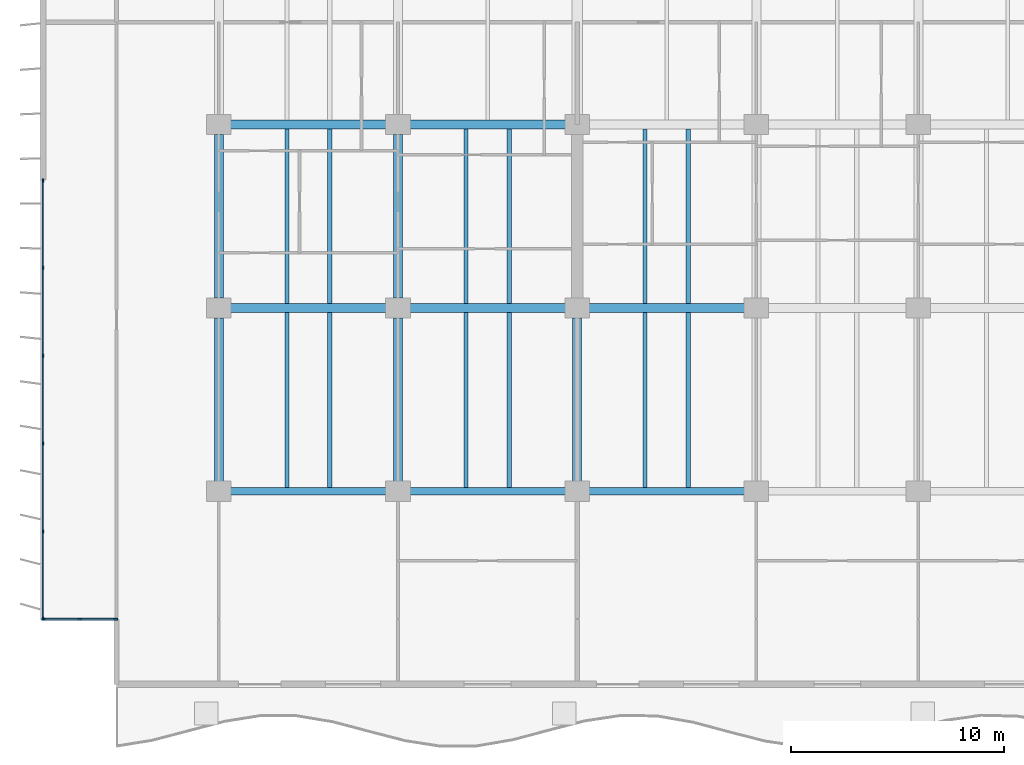
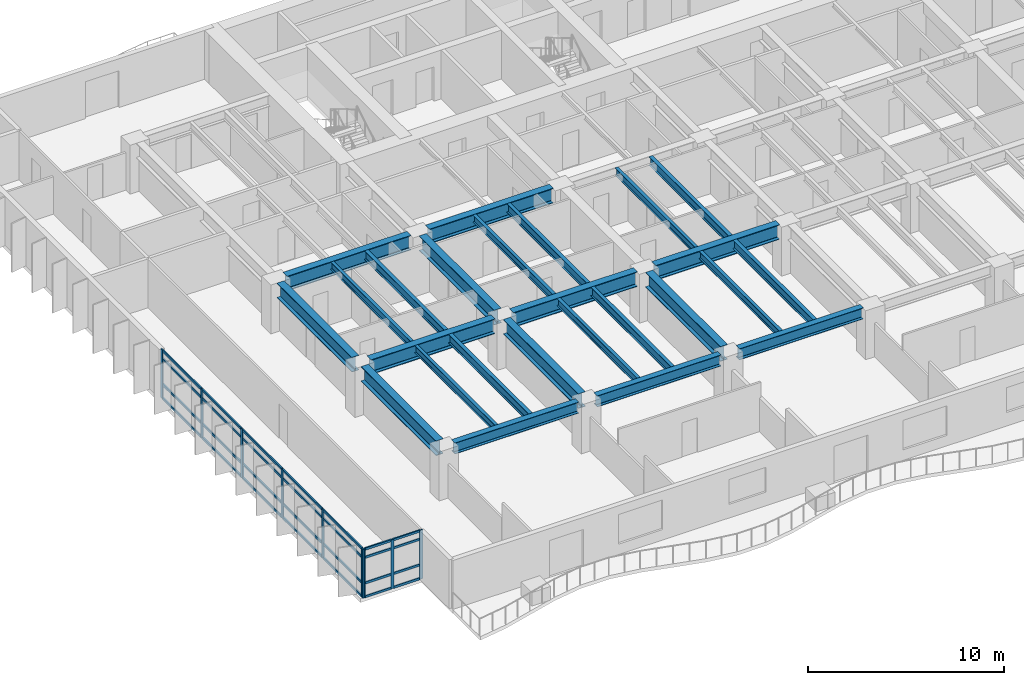
# One storey, part 2 of 16: 37 members, 25 beams, 2 elements without a shape of their own.
"""IFC4 building model written with IfcOpenShell, lengths in metres."""

from ifc_helpers import new_model, si_unit, direction, frame, origin, origin_2d, place, context, subcontext, project, spatial, rectangle, i_section, extrude, material, layer, layer_set, material_profile, profile_set, type_object, element, aggregate, save


model = new_model("IFC4")

# Units and contexts
model_context = context("Model", 3, precision=1e-05, world=origin(), true_north=direction((0.0, 1.0)))
body_context = subcontext(model_context, "Body", "Model", "MODEL_VIEW")
ifc_project = project(units=[si_unit("LENGTHUNIT", "METRE"), si_unit("AREAUNIT", "SQUARE_METRE"), si_unit("VOLUMEUNIT", "CUBIC_METRE"), si_unit("PLANEANGLEUNIT", "RADIAN"), si_unit("MASSUNIT", "GRAM", prefix="KILO")], contexts=[model_context])

# Site, building, storey
site_placement = place(None, origin())
site = spatial("IfcSite", under=ifc_project, at=site_placement, CompositionType="ELEMENT")
building_placement = place(site_placement, origin())
building = spatial("IfcBuilding", under=site, at=building_placement, Name="Caelmar Bay Residences", CompositionType="ELEMENT")
storey_placement = place(building_placement, frame((0.0, 0.0, 72.89990234375)))
storey = spatial("IfcBuildingStorey", under=building, at=storey_placement, Name="L19", CompositionType="ELEMENT", Elevation=72.89990234375)

# Beams
ifc_material_1 = material(Name="Steel ASTM A992 Grade 50", Category="steel")
ifc_material_profile_1 = material_profile(ifc_material_1, i_section(OverallWidth=0.422119140625, OverallDepth=0.925048828125, WebThickness=0.021240234375, FlangeThickness=0.03662109375, FilletRadius=0.020263671875, at=origin_2d()), Name="W36X262")
ifc_profile_set_1 = profile_set([ifc_material_profile_1], Name="Steel ASTM A992 Grade 50")
beam_type_1 = type_object("IfcBeamType", Name="BM-GRD-W36X262", PredefinedType="BEAM", material=ifc_profile_set_1)
beam_1_placement = place(storey_placement, frame((10.43994140625, 20.800048828125, 2.587646484375), z_axis=(1.0, 0.0, 0.0), x_axis=(0.0, 1.0, 0.0)))
element("IfcBeam", 1, at=beam_1_placement, inside=storey, type_object=beam_type_1, Name="L19 East-West Girder Y=20.80 (9.9-18.3)", PredefinedType="BEAM", context=body_context, shape_type="SweptSolid", body=[
    extrude(i_section(OverallWidth=0.422119140625, OverallDepth=0.925048828125, WebThickness=0.021240234375, FlangeThickness=0.03662109375, FilletRadius=0.020263671875, at=origin_2d()), origin(), (0.0, 0.0, 1.0), 7.320068359375),
])
beam_2_placement = place(storey_placement, frame((18.840087890625, 20.800048828125, 2.587646484375), z_axis=(1.0, 0.0, 0.0), x_axis=(0.0, 1.0, 0.0)))
element("IfcBeam", 2, at=beam_2_placement, inside=storey, type_object=beam_type_1, Name="L19 East-West Girder Y=20.80 (18.3-26.7)", PredefinedType="BEAM", context=body_context, shape_type="SweptSolid", body=[
    extrude(i_section(OverallWidth=0.422119140625, OverallDepth=0.925048828125, WebThickness=0.021240234375, FlangeThickness=0.03662109375, FilletRadius=0.020263671875, at=origin_2d()), origin(), (0.0, 0.0, 1.0), 7.31982421875),
])
for number, where, z_axis, x_axis, name in (
    (3, (27.239990234375, 20.800048828125, 2.587646484375), (1.0, 0.0, 0.0), (0.0, 1.0, 0.0), "L19 East-West Girder Y=20.80 (26.7-35.1)"),
    (4, (10.43994140625, 29.39990234375, 2.587646484375), (1.0, 0.0, 0.0), (0.0, 1.0, 0.0), "L19 East-West Girder Y=29.40 (9.9-18.3)"),
):
    element("IfcBeam", number, at=place(storey_placement, frame(where, z_axis=z_axis, x_axis=x_axis)), inside=storey, type_object=beam_type_1, Name=name, PredefinedType="BEAM", context=body_context, shape_type="SweptSolid", body=[
        extrude(i_section(OverallWidth=0.422119140625, OverallDepth=0.925048828125, WebThickness=0.021240234375, FlangeThickness=0.03662109375, FilletRadius=0.020263671875, at=origin_2d()), origin(), (0.0, 0.0, 1.0), 7.320068359375),
    ])
beam_3_placement = place(storey_placement, frame((18.840087890625, 29.39990234375, 2.587646484375), z_axis=(1.0, 0.0, 0.0), x_axis=(0.0, 1.0, 0.0)))
element("IfcBeam", 5, at=beam_3_placement, inside=storey, type_object=beam_type_1, Name="L19 East-West Girder Y=29.40 (18.3-26.7)", PredefinedType="BEAM", context=body_context, shape_type="SweptSolid", body=[
    extrude(i_section(OverallWidth=0.422119140625, OverallDepth=0.925048828125, WebThickness=0.021240234375, FlangeThickness=0.03662109375, FilletRadius=0.020263671875, at=origin_2d()), origin(), (0.0, 0.0, 1.0), 7.31982421875),
])
beam_4_placement = place(storey_placement, frame((9.89990234375, 12.6650390625, 2.587646484375), z_axis=(0.0, 1.0, 0.0), x_axis=(-1.0, 0.0, 0.0)))
element("IfcBeam", 6, at=beam_4_placement, inside=storey, type_object=beam_type_1, Name="L19 North-South Girder X=9.90 (12.2-20.8)", PredefinedType="BEAM", context=body_context, shape_type="SweptSolid", body=[
    extrude(i_section(OverallWidth=0.422119140625, OverallDepth=0.925048828125, WebThickness=0.021240234375, FlangeThickness=0.03662109375, FilletRadius=0.020263671875, at=origin_2d()), origin(), (0.0, 0.0, 1.0), 7.669921875),
])
beam_5_placement = place(storey_placement, frame((9.89990234375, 21.264892578125, 2.587646484375), z_axis=(0.0, 1.0, 0.0), x_axis=(-1.0, 0.0, 0.0)))
element("IfcBeam", 7, at=beam_5_placement, inside=storey, type_object=beam_type_1, Name="L19 North-South Girder X=9.90 (20.8-29.4)", PredefinedType="BEAM", context=body_context, shape_type="SweptSolid", body=[
    extrude(i_section(OverallWidth=0.422119140625, OverallDepth=0.925048828125, WebThickness=0.021240234375, FlangeThickness=0.03662109375, FilletRadius=0.020263671875, at=origin_2d()), origin(), (0.0, 0.0, 1.0), 7.670166015625),
])
beam_6_placement = place(storey_placement, frame((18.300048828125, 12.6650390625, 2.587646484375), z_axis=(0.0, 1.0, 0.0), x_axis=(-1.0, 0.0, 0.0)))
element("IfcBeam", 8, at=beam_6_placement, inside=storey, type_object=beam_type_1, Name="L19 North-South Girder X=18.30 (12.2-20.8)", PredefinedType="BEAM", context=body_context, shape_type="SweptSolid", body=[
    extrude(i_section(OverallWidth=0.422119140625, OverallDepth=0.925048828125, WebThickness=0.021240234375, FlangeThickness=0.03662109375, FilletRadius=0.020263671875, at=origin_2d()), origin(), (0.0, 0.0, 1.0), 7.669921875),
])
beam_7_placement = place(storey_placement, frame((18.300048828125, 21.264892578125, 2.587646484375), z_axis=(0.0, 1.0, 0.0), x_axis=(-1.0, 0.0, 0.0)))
element("IfcBeam", 9, at=beam_7_placement, inside=storey, type_object=beam_type_1, Name="L19 North-South Girder X=18.30 (20.8-29.4)", PredefinedType="BEAM", context=body_context, shape_type="SweptSolid", body=[
    extrude(i_section(OverallWidth=0.422119140625, OverallDepth=0.925048828125, WebThickness=0.021240234375, FlangeThickness=0.03662109375, FilletRadius=0.020263671875, at=origin_2d()), origin(), (0.0, 0.0, 1.0), 7.670166015625),
])
beam_8_placement = place(storey_placement, frame((26.699951171875, 12.6650390625, 2.587646484375), z_axis=(0.0, 1.0, 0.0), x_axis=(-1.0, 0.0, 0.0)))
element("IfcBeam", 10, at=beam_8_placement, inside=storey, type_object=beam_type_1, Name="L19 North-South Girder X=26.70 (12.2-20.8)", PredefinedType="BEAM", context=body_context, shape_type="SweptSolid", body=[
    extrude(i_section(OverallWidth=0.422119140625, OverallDepth=0.925048828125, WebThickness=0.021240234375, FlangeThickness=0.03662109375, FilletRadius=0.020263671875, at=origin_2d()), origin(), (0.0, 0.0, 1.0), 7.669921875),
])
ifc_material_profile_2 = material_profile(ifc_material_1, i_section(OverallWidth=0.19091796875, OverallDepth=0.45703125, WebThickness=0.009033203125, FlangeThickness=0.014404296875, FilletRadius=0.01025390625, at=origin_2d()), Name="W18X50")
ifc_profile_set_2 = profile_set([ifc_material_profile_2], Name="Steel ASTM A992 Grade 50")
beam_type_2 = type_object("IfcBeamType", Name="BM-JST-W18X50", PredefinedType="JOIST", material=ifc_profile_set_2)
for number, where, z_axis, x_axis, name in (
    (11, (13.092041015625, 12.3779296875, 2.821533203125), (0.0, 1.0, 0.0), (-1.0, 0.0, 0.0), "L19 Composite Floor Joist 1"),
    (12, (21.491943359375, 12.3779296875, 2.821533203125), (0.0, 1.0, 0.0), (-1.0, 0.0, 0.0), "L19 Composite Floor Joist 3"),
    (13, (29.89208984375, 12.3779296875, 2.821533203125), (0.0, 1.0, 0.0), (-1.0, 0.0, 0.0), "L19 Composite Floor Joist 5"),
):
    element("IfcBeam", number, at=place(storey_placement, frame(where, z_axis=z_axis, x_axis=x_axis)), inside=storey, type_object=beam_type_2, Name=name, PredefinedType="JOIST", context=body_context, shape_type="SweptSolid", body=[
        extrude(i_section(OverallWidth=0.19091796875, OverallDepth=0.45703125, WebThickness=0.009033203125, FlangeThickness=0.014404296875, FilletRadius=0.01025390625, at=origin_2d()), origin(), (0.0, 0.0, 1.0), 8.211181640625),
    ])
for number, where, z_axis, x_axis, name in (
    (14, (13.092041015625, 21.010986328125, 2.821533203125), (0.0, 1.0, 0.0), (-1.0, 0.0, 0.0), "L19 Composite Floor Joist 15"),
    (15, (21.491943359375, 21.010986328125, 2.821533203125), (0.0, 1.0, 0.0), (-1.0, 0.0, 0.0), "L19 Composite Floor Joist 17"),
    (16, (29.89208984375, 21.010986328125, 2.821533203125), (0.0, 1.0, 0.0), (-1.0, 0.0, 0.0), "L19 Composite Floor Joist 19"),
):
    element("IfcBeam", number, at=place(storey_placement, frame(where, z_axis=z_axis, x_axis=x_axis)), inside=storey, type_object=beam_type_2, Name=name, PredefinedType="JOIST", context=body_context, shape_type="SweptSolid", body=[
        extrude(i_section(OverallWidth=0.19091796875, OverallDepth=0.45703125, WebThickness=0.009033203125, FlangeThickness=0.014404296875, FilletRadius=0.01025390625, at=origin_2d()), origin(), (0.0, 0.0, 1.0), 8.177978515625),
    ])
ifc_material_profile_3 = material_profile(ifc_material_1, i_section(OverallWidth=0.214111328125, OverallDepth=0.549072265625, WebThickness=0.0146484375, FlangeThickness=0.023681640625, FilletRadius=0.0126953125, at=origin_2d()), Name="W21X93")
ifc_profile_set_3 = profile_set([ifc_material_profile_3], Name="Steel ASTM A992 Grade 50")
beam_type_3 = type_object("IfcBeamType", Name="BM-JST-W21X93", PredefinedType="JOIST", material=ifc_profile_set_3)
for number, where, z_axis, x_axis, name in (
    (17, (15.10791015625, 12.3779296875, 2.775634765625), (0.0, 1.0, 0.0), (-1.0, 0.0, 0.0), "L19 Composite Floor Joist 2"),
    (18, (23.508056640625, 12.3779296875, 2.775634765625), (0.0, 1.0, 0.0), (-1.0, 0.0, 0.0), "L19 Composite Floor Joist 4"),
    (19, (31.907958984375, 12.3779296875, 2.775634765625), (0.0, 1.0, 0.0), (-1.0, 0.0, 0.0), "L19 Composite Floor Joist 6"),
):
    element("IfcBeam", number, at=place(storey_placement, frame(where, z_axis=z_axis, x_axis=x_axis)), inside=storey, type_object=beam_type_3, Name=name, PredefinedType="JOIST", context=body_context, shape_type="SweptSolid", body=[
        extrude(i_section(OverallWidth=0.214111328125, OverallDepth=0.549072265625, WebThickness=0.0146484375, FlangeThickness=0.023681640625, FilletRadius=0.0126953125, at=origin_2d()), origin(), (0.0, 0.0, 1.0), 8.211181640625),
    ])
for number, where, z_axis, x_axis, name in (
    (20, (15.10791015625, 21.010986328125, 2.775634765625), (0.0, 1.0, 0.0), (-1.0, 0.0, 0.0), "L19 Composite Floor Joist 16"),
    (21, (23.508056640625, 21.010986328125, 2.775634765625), (0.0, 1.0, 0.0), (-1.0, 0.0, 0.0), "L19 Composite Floor Joist 18"),
    (22, (31.907958984375, 21.010986328125, 2.775634765625), (0.0, 1.0, 0.0), (-1.0, 0.0, 0.0), "L19 Composite Floor Joist 20"),
):
    element("IfcBeam", number, at=place(storey_placement, frame(where, z_axis=z_axis, x_axis=x_axis)), inside=storey, type_object=beam_type_3, Name=name, PredefinedType="JOIST", context=body_context, shape_type="SweptSolid", body=[
        extrude(i_section(OverallWidth=0.214111328125, OverallDepth=0.549072265625, WebThickness=0.0146484375, FlangeThickness=0.023681640625, FilletRadius=0.0126953125, at=origin_2d()), origin(), (0.0, 0.0, 1.0), 8.177978515625),
    ])
ifc_material_profile_4 = material_profile(ifc_material_1, i_section(OverallWidth=0.35595703125, OverallDepth=0.696044921875, WebThickness=0.015380859375, FlangeThickness=0.02490234375, FilletRadius=0.01513671875, at=origin_2d()), Name="W27X146")
ifc_profile_set_4 = profile_set([ifc_material_profile_4], Name="Steel ASTM A992 Grade 50")
beam_type_4 = type_object("IfcBeamType", Name="BM-SPN-W27X146", PredefinedType="SPANDREL", material=ifc_profile_set_4)
beam_9_placement = place(storey_placement, frame((10.43994140625, 12.199951171875, 2.7021484375), z_axis=(1.0, 0.0, 0.0), x_axis=(0.0, 1.0, 0.0)))
element("IfcBeam", 23, at=beam_9_placement, inside=storey, type_object=beam_type_4, Name="L19 East-West Girder Y=12.20 (9.9-18.3)", PredefinedType="SPANDREL", context=body_context, shape_type="SweptSolid", body=[
    extrude(i_section(OverallWidth=0.35595703125, OverallDepth=0.696044921875, WebThickness=0.015380859375, FlangeThickness=0.02490234375, FilletRadius=0.01513671875, at=origin_2d()), origin(), (0.0, 0.0, 1.0), 7.320068359375),
])
beam_10_placement = place(storey_placement, frame((18.840087890625, 12.199951171875, 2.7021484375), z_axis=(1.0, 0.0, 0.0), x_axis=(0.0, 1.0, 0.0)))
element("IfcBeam", 24, at=beam_10_placement, inside=storey, type_object=beam_type_4, Name="L19 East-West Girder Y=12.20 (18.3-26.7)", PredefinedType="SPANDREL", context=body_context, shape_type="SweptSolid", body=[
    extrude(i_section(OverallWidth=0.35595703125, OverallDepth=0.696044921875, WebThickness=0.015380859375, FlangeThickness=0.02490234375, FilletRadius=0.01513671875, at=origin_2d()), origin(), (0.0, 0.0, 1.0), 7.31982421875),
])
beam_11_placement = place(storey_placement, frame((27.239990234375, 12.199951171875, 2.7021484375), z_axis=(1.0, 0.0, 0.0), x_axis=(0.0, 1.0, 0.0)))
element("IfcBeam", 25, at=beam_11_placement, inside=storey, type_object=beam_type_4, Name="L19 East-West Girder Y=12.20 (26.7-35.1)", PredefinedType="SPANDREL", context=body_context, shape_type="SweptSolid", body=[
    extrude(i_section(OverallWidth=0.35595703125, OverallDepth=0.696044921875, WebThickness=0.015380859375, FlangeThickness=0.02490234375, FilletRadius=0.01513671875, at=origin_2d()), origin(), (0.0, 0.0, 1.0), 7.320068359375),
])

# Curtain wall, members
ifc_material_2 = material(Name="Anodised bronze aluminium 6063-T6 and laminated glass", Category="aluminium")
ifc_layer_1 = layer(ifc_material_2, 0.179931640625)
ifc_layer_set_1 = layer_set([ifc_layer_1], Name="Anodised bronze aluminium 6063-T6 and laminated glass")
curtain_wall_type_1 = type_object("IfcCurtainWallType", Name="CW6-NTC", PredefinedType="NOTDEFINED", material=ifc_layer_set_1)
curtain_wall_1_placement = place(storey_placement, origin())
curtain_wall_1 = element("IfcCurtainWall", 26, at=curtain_wall_1_placement, inside=storey, type_object=curtain_wall_type_1, Name="CW6 curtain wall L19", PredefinedType="NOTDEFINED")
ifc_material_3 = material(Name="Anodised bronze aluminium 6063-T6", Category="aluminium")
ifc_material_profile_5 = material_profile(ifc_material_3, rectangle(XDim=0.080078125, YDim=0.179931640625, at=origin_2d()), Name="CWM-80X180")
ifc_profile_set_5 = profile_set([ifc_material_profile_5], Name="Anodised bronze aluminium 6063-T6")
member_type_1 = type_object("IfcMemberType", Name="CWM-180", PredefinedType="MULLION", material=ifc_profile_set_5)
member_1_placement = place(storey_placement, frame((1.68994140625, 6.199951171875, 0.0), z_axis=(0.0, 0.0, 1.0), x_axis=(0.0, 1.0, 0.0)))
member_1 = element("IfcMember", 27, at=member_1_placement, type_object=member_type_1, Name="CW6 mullion 1", PredefinedType="MULLION", context=body_context, shape_type="SweptSolid", body=[
    extrude(rectangle(XDim=0.080078125, YDim=0.179931640625, at=origin_2d()), origin(), (0.0, 0.0, 1.0), 3.050048828125),
])
member_2_placement = place(storey_placement, frame((3.375, 6.199951171875, 0.0), z_axis=(0.0, 0.0, 1.0), x_axis=(0.0, 1.0, 0.0)))
member_2 = element("IfcMember", 28, at=member_2_placement, type_object=member_type_1, Name="CW6 mullion 2", PredefinedType="MULLION", context=body_context, shape_type="SweptSolid", body=[
    extrude(rectangle(XDim=0.080078125, YDim=0.179931640625, at=origin_2d()), origin(), (0.0, 0.0, 1.0), 3.050048828125),
])
member_3_placement = place(storey_placement, frame((5.06005859375, 6.199951171875, 0.0), z_axis=(0.0, 0.0, 1.0), x_axis=(0.0, 1.0, 0.0)))
member_3 = element("IfcMember", 29, at=member_3_placement, type_object=member_type_1, Name="CW6 mullion 3", PredefinedType="MULLION", context=body_context, shape_type="SweptSolid", body=[
    extrude(rectangle(XDim=0.080078125, YDim=0.179931640625, at=origin_2d()), origin(), (0.0, 0.0, 1.0), 3.050048828125),
])

ifc_layer_2 = layer(ifc_material_2, 0.179931640625)
ifc_layer_set_2 = layer_set([ifc_layer_2], Name="Anodised bronze aluminium 6063-T6 and laminated glass")
curtain_wall_type_2 = type_object("IfcCurtainWallType", Name="CW2-Z1", PredefinedType="NOTDEFINED", material=ifc_layer_set_2)
curtain_wall_2_placement = place(storey_placement, origin())
curtain_wall_2 = element("IfcCurtainWall", 30, at=curtain_wall_2_placement, inside=storey, type_object=curtain_wall_type_2, Name="CW2 curtain wall L19", PredefinedType="NOTDEFINED")
member_4_placement = place(storey_placement, frame((1.64990234375, 6.239990234375, 0.0), z_axis=(0.0, 0.0, 1.0), x_axis=(-1.0, 0.0, 0.0)))
member_4 = element("IfcMember", 31, at=member_4_placement, type_object=member_type_1, Name="CW2 mullion 1", PredefinedType="MULLION", context=body_context, shape_type="SweptSolid", body=[
    extrude(rectangle(XDim=0.080078125, YDim=0.179931640625, at=origin_2d()), origin(), (0.0, 0.0, 1.0), 3.050048828125),
])
member_5_placement = place(storey_placement, frame((1.64990234375, 10.320068359375, 0.0), z_axis=(0.0, 0.0, 1.0), x_axis=(-1.0, 0.0, 0.0)))
member_5 = element("IfcMember", 32, at=member_5_placement, type_object=member_type_1, Name="CW2 mullion 2", PredefinedType="MULLION", context=body_context, shape_type="SweptSolid", body=[
    extrude(rectangle(XDim=0.080078125, YDim=0.179931640625, at=origin_2d()), origin(), (0.0, 0.0, 1.0), 3.050048828125),
])
member_6_placement = place(storey_placement, frame((1.64990234375, 14.43994140625, 0.0), z_axis=(0.0, 0.0, 1.0), x_axis=(-1.0, 0.0, 0.0)))
member_6 = element("IfcMember", 33, at=member_6_placement, type_object=member_type_1, Name="CW2 mullion 3", PredefinedType="MULLION", context=body_context, shape_type="SweptSolid", body=[
    extrude(rectangle(XDim=0.080078125, YDim=0.179931640625, at=origin_2d()), origin(), (0.0, 0.0, 1.0), 3.050048828125),
])
member_7_placement = place(storey_placement, frame((1.64990234375, 18.56005859375, 0.0), z_axis=(0.0, 0.0, 1.0), x_axis=(-1.0, 0.0, 0.0)))
member_7 = element("IfcMember", 34, at=member_7_placement, type_object=member_type_1, Name="CW2 mullion 4", PredefinedType="MULLION", context=body_context, shape_type="SweptSolid", body=[
    extrude(rectangle(XDim=0.080078125, YDim=0.179931640625, at=origin_2d()), origin(), (0.0, 0.0, 1.0), 3.050048828125),
])
member_8_placement = place(storey_placement, frame((1.64990234375, 22.679931640625, 0.0), z_axis=(0.0, 0.0, 1.0), x_axis=(-1.0, 0.0, 0.0)))
member_8 = element("IfcMember", 35, at=member_8_placement, type_object=member_type_1, Name="CW2 mullion 5", PredefinedType="MULLION", context=body_context, shape_type="SweptSolid", body=[
    extrude(rectangle(XDim=0.080078125, YDim=0.179931640625, at=origin_2d()), origin(), (0.0, 0.0, 1.0), 3.050048828125),
])
member_9_placement = place(storey_placement, frame((1.64990234375, 26.760009765625, 0.0), z_axis=(0.0, 0.0, 1.0), x_axis=(-1.0, 0.0, 0.0)))
member_9 = element("IfcMember", 36, at=member_9_placement, type_object=member_type_1, Name="CW2 mullion 6", PredefinedType="MULLION", context=body_context, shape_type="SweptSolid", body=[
    extrude(rectangle(XDim=0.080078125, YDim=0.179931640625, at=origin_2d()), origin(), (0.0, 0.0, 1.0), 3.050048828125),
])

# Member
ifc_material_profile_6 = material_profile(ifc_material_3, rectangle(XDim=0.080078125, YDim=0.139892578125, at=origin_2d()), Name="CWT-80X140")
ifc_profile_set_6 = profile_set([ifc_material_profile_6], Name="Anodised bronze aluminium 6063-T6")
member_type_2 = type_object("IfcMemberType", Name="CWT-140", PredefinedType="NOTDEFINED", material=ifc_profile_set_6)
member_10_placement = place(storey_placement, frame((1.72998046875, 6.199951171875, 0.0400390625), z_axis=(1.0, 0.0, 0.0), x_axis=(0.0, 1.0, 0.0)))
member_10 = element("IfcMember", 37, at=member_10_placement, type_object=member_type_2, Name="CW6 transom 1.1", ObjectType="TRANSOM", PredefinedType="USERDEFINED", context=body_context, shape_type="SweptSolid", body=[
    extrude(rectangle(XDim=0.080078125, YDim=0.139892578125, at=origin_2d()), origin(), (0.0, 0.0, 1.0), 1.60498046875),
])

member_11_placement = place(storey_placement, frame((1.72998046875, 6.199951171875, 0.900146484375), z_axis=(1.0, 0.0, 0.0), x_axis=(0.0, 1.0, 0.0)))
member_11 = element("IfcMember", 38, at=member_11_placement, type_object=member_type_2, Name="CW6 transom 1.2", ObjectType="TRANSOM", PredefinedType="USERDEFINED", context=body_context, shape_type="SweptSolid", body=[
    extrude(rectangle(XDim=0.080078125, YDim=0.139892578125, at=origin_2d()), origin(), (0.0, 0.0, 1.0), 1.60498046875),
])

member_12_placement = place(storey_placement, frame((1.72998046875, 6.199951171875, 2.5), z_axis=(1.0, 0.0, 0.0), x_axis=(0.0, 1.0, 0.0)))
member_12 = element("IfcMember", 39, at=member_12_placement, type_object=member_type_2, Name="CW6 transom 1.3", ObjectType="TRANSOM", PredefinedType="USERDEFINED", context=body_context, shape_type="SweptSolid", body=[
    extrude(rectangle(XDim=0.080078125, YDim=0.139892578125, at=origin_2d()), origin(), (0.0, 0.0, 1.0), 1.60498046875),
])

member_13_placement = place(storey_placement, frame((1.72998046875, 6.199951171875, 3.010009765625), z_axis=(1.0, 0.0, 0.0), x_axis=(0.0, 1.0, 0.0)))
member_13 = element("IfcMember", 40, at=member_13_placement, type_object=member_type_2, Name="CW6 transom 1.4", ObjectType="TRANSOM", PredefinedType="USERDEFINED", context=body_context, shape_type="SweptSolid", body=[
    extrude(rectangle(XDim=0.080078125, YDim=0.139892578125, at=origin_2d()), origin(), (0.0, 0.0, 1.0), 1.60498046875),
])

member_14_placement = place(storey_placement, frame((3.4150390625, 6.199951171875, 0.0400390625), z_axis=(1.0, 0.0, 0.0), x_axis=(0.0, 1.0, 0.0)))
member_14 = element("IfcMember", 41, at=member_14_placement, type_object=member_type_2, Name="CW6 transom 2.1", ObjectType="TRANSOM", PredefinedType="USERDEFINED", context=body_context, shape_type="SweptSolid", body=[
    extrude(rectangle(XDim=0.080078125, YDim=0.139892578125, at=origin_2d()), origin(), (0.0, 0.0, 1.0), 1.60498046875),
])

member_15_placement = place(storey_placement, frame((3.4150390625, 6.199951171875, 0.900146484375), z_axis=(1.0, 0.0, 0.0), x_axis=(0.0, 1.0, 0.0)))
member_15 = element("IfcMember", 42, at=member_15_placement, type_object=member_type_2, Name="CW6 transom 2.2", ObjectType="TRANSOM", PredefinedType="USERDEFINED", context=body_context, shape_type="SweptSolid", body=[
    extrude(rectangle(XDim=0.080078125, YDim=0.139892578125, at=origin_2d()), origin(), (0.0, 0.0, 1.0), 1.60498046875),
])

member_16_placement = place(storey_placement, frame((3.4150390625, 6.199951171875, 2.5), z_axis=(1.0, 0.0, 0.0), x_axis=(0.0, 1.0, 0.0)))
member_16 = element("IfcMember", 43, at=member_16_placement, type_object=member_type_2, Name="CW6 transom 2.3", ObjectType="TRANSOM", PredefinedType="USERDEFINED", context=body_context, shape_type="SweptSolid", body=[
    extrude(rectangle(XDim=0.080078125, YDim=0.139892578125, at=origin_2d()), origin(), (0.0, 0.0, 1.0), 1.60498046875),
])

member_17_placement = place(storey_placement, frame((3.4150390625, 6.199951171875, 3.010009765625), z_axis=(1.0, 0.0, 0.0), x_axis=(0.0, 1.0, 0.0)))
member_17 = element("IfcMember", 44, at=member_17_placement, type_object=member_type_2, Name="CW6 transom 2.4", ObjectType="TRANSOM", PredefinedType="USERDEFINED", context=body_context, shape_type="SweptSolid", body=[
    extrude(rectangle(XDim=0.080078125, YDim=0.139892578125, at=origin_2d()), origin(), (0.0, 0.0, 1.0), 1.60498046875),
])

aggregate(curtain_wall_1, [member_1, member_2, member_3, member_10, member_11, member_12, member_13, member_14, member_15, member_16, member_17])

member_18_placement = place(storey_placement, frame((1.64990234375, 6.280029296875, 0.0400390625), z_axis=(0.0, 1.0, 0.0), x_axis=(-1.0, 0.0, 0.0)))
member_18 = element("IfcMember", 45, at=member_18_placement, type_object=member_type_2, Name="CW2 transom 1.1", ObjectType="TRANSOM", PredefinedType="USERDEFINED", context=body_context, shape_type="SweptSolid", body=[
    extrude(rectangle(XDim=0.080078125, YDim=0.139892578125, at=origin_2d()), origin(), (0.0, 0.0, 1.0), 4.0),
])

member_19_placement = place(storey_placement, frame((1.64990234375, 6.280029296875, 0.900146484375), z_axis=(0.0, 1.0, 0.0), x_axis=(-1.0, 0.0, 0.0)))
member_19 = element("IfcMember", 46, at=member_19_placement, type_object=member_type_2, Name="CW2 transom 1.2", ObjectType="TRANSOM", PredefinedType="USERDEFINED", context=body_context, shape_type="SweptSolid", body=[
    extrude(rectangle(XDim=0.080078125, YDim=0.139892578125, at=origin_2d()), origin(), (0.0, 0.0, 1.0), 4.0),
])

member_20_placement = place(storey_placement, frame((1.64990234375, 6.280029296875, 2.5), z_axis=(0.0, 1.0, 0.0), x_axis=(-1.0, 0.0, 0.0)))
member_20 = element("IfcMember", 47, at=member_20_placement, type_object=member_type_2, Name="CW2 transom 1.3", ObjectType="TRANSOM", PredefinedType="USERDEFINED", context=body_context, shape_type="SweptSolid", body=[
    extrude(rectangle(XDim=0.080078125, YDim=0.139892578125, at=origin_2d()), origin(), (0.0, 0.0, 1.0), 4.0),
])

member_21_placement = place(storey_placement, frame((1.64990234375, 6.280029296875, 3.010009765625), z_axis=(0.0, 1.0, 0.0), x_axis=(-1.0, 0.0, 0.0)))
member_21 = element("IfcMember", 48, at=member_21_placement, type_object=member_type_2, Name="CW2 transom 1.4", ObjectType="TRANSOM", PredefinedType="USERDEFINED", context=body_context, shape_type="SweptSolid", body=[
    extrude(rectangle(XDim=0.080078125, YDim=0.139892578125, at=origin_2d()), origin(), (0.0, 0.0, 1.0), 4.0),
])

member_22_placement = place(storey_placement, frame((1.64990234375, 10.360107421875, 0.0400390625), z_axis=(0.0, 1.0, 0.0), x_axis=(-1.0, 0.0, 0.0)))
member_22 = element("IfcMember", 49, at=member_22_placement, type_object=member_type_2, Name="CW2 transom 2.1", ObjectType="TRANSOM", PredefinedType="USERDEFINED", context=body_context, shape_type="SweptSolid", body=[
    extrude(rectangle(XDim=0.080078125, YDim=0.139892578125, at=origin_2d()), origin(), (0.0, 0.0, 1.0), 4.039794921875),
])

member_23_placement = place(storey_placement, frame((1.64990234375, 10.360107421875, 0.900146484375), z_axis=(0.0, 1.0, 0.0), x_axis=(-1.0, 0.0, 0.0)))
member_23 = element("IfcMember", 50, at=member_23_placement, type_object=member_type_2, Name="CW2 transom 2.2", ObjectType="TRANSOM", PredefinedType="USERDEFINED", context=body_context, shape_type="SweptSolid", body=[
    extrude(rectangle(XDim=0.080078125, YDim=0.139892578125, at=origin_2d()), origin(), (0.0, 0.0, 1.0), 4.039794921875),
])

member_24_placement = place(storey_placement, frame((1.64990234375, 10.360107421875, 2.5), z_axis=(0.0, 1.0, 0.0), x_axis=(-1.0, 0.0, 0.0)))
member_24 = element("IfcMember", 51, at=member_24_placement, type_object=member_type_2, Name="CW2 transom 2.3", ObjectType="TRANSOM", PredefinedType="USERDEFINED", context=body_context, shape_type="SweptSolid", body=[
    extrude(rectangle(XDim=0.080078125, YDim=0.139892578125, at=origin_2d()), origin(), (0.0, 0.0, 1.0), 4.039794921875),
])

member_25_placement = place(storey_placement, frame((1.64990234375, 10.360107421875, 3.010009765625), z_axis=(0.0, 1.0, 0.0), x_axis=(-1.0, 0.0, 0.0)))
member_25 = element("IfcMember", 52, at=member_25_placement, type_object=member_type_2, Name="CW2 transom 2.4", ObjectType="TRANSOM", PredefinedType="USERDEFINED", context=body_context, shape_type="SweptSolid", body=[
    extrude(rectangle(XDim=0.080078125, YDim=0.139892578125, at=origin_2d()), origin(), (0.0, 0.0, 1.0), 4.039794921875),
])

member_26_placement = place(storey_placement, frame((1.64990234375, 14.47998046875, 0.0400390625), z_axis=(0.0, 1.0, 0.0), x_axis=(-1.0, 0.0, 0.0)))
member_26 = element("IfcMember", 53, at=member_26_placement, type_object=member_type_2, Name="CW2 transom 3.1", ObjectType="TRANSOM", PredefinedType="USERDEFINED", context=body_context, shape_type="SweptSolid", body=[
    extrude(rectangle(XDim=0.080078125, YDim=0.139892578125, at=origin_2d()), origin(), (0.0, 0.0, 1.0), 4.0400390625),
])

member_27_placement = place(storey_placement, frame((1.64990234375, 14.47998046875, 0.900146484375), z_axis=(0.0, 1.0, 0.0), x_axis=(-1.0, 0.0, 0.0)))
member_27 = element("IfcMember", 54, at=member_27_placement, type_object=member_type_2, Name="CW2 transom 3.2", ObjectType="TRANSOM", PredefinedType="USERDEFINED", context=body_context, shape_type="SweptSolid", body=[
    extrude(rectangle(XDim=0.080078125, YDim=0.139892578125, at=origin_2d()), origin(), (0.0, 0.0, 1.0), 4.0400390625),
])

member_28_placement = place(storey_placement, frame((1.64990234375, 14.47998046875, 2.5), z_axis=(0.0, 1.0, 0.0), x_axis=(-1.0, 0.0, 0.0)))
member_28 = element("IfcMember", 55, at=member_28_placement, type_object=member_type_2, Name="CW2 transom 3.3", ObjectType="TRANSOM", PredefinedType="USERDEFINED", context=body_context, shape_type="SweptSolid", body=[
    extrude(rectangle(XDim=0.080078125, YDim=0.139892578125, at=origin_2d()), origin(), (0.0, 0.0, 1.0), 4.0400390625),
])

member_29_placement = place(storey_placement, frame((1.64990234375, 14.47998046875, 3.010009765625), z_axis=(0.0, 1.0, 0.0), x_axis=(-1.0, 0.0, 0.0)))
member_29 = element("IfcMember", 56, at=member_29_placement, type_object=member_type_2, Name="CW2 transom 3.4", ObjectType="TRANSOM", PredefinedType="USERDEFINED", context=body_context, shape_type="SweptSolid", body=[
    extrude(rectangle(XDim=0.080078125, YDim=0.139892578125, at=origin_2d()), origin(), (0.0, 0.0, 1.0), 4.0400390625),
])

member_30_placement = place(storey_placement, frame((1.64990234375, 18.60009765625, 0.0400390625), z_axis=(0.0, 1.0, 0.0), x_axis=(-1.0, 0.0, 0.0)))
member_30 = element("IfcMember", 57, at=member_30_placement, type_object=member_type_2, Name="CW2 transom 4.1", ObjectType="TRANSOM", PredefinedType="USERDEFINED", context=body_context, shape_type="SweptSolid", body=[
    extrude(rectangle(XDim=0.080078125, YDim=0.139892578125, at=origin_2d()), origin(), (0.0, 0.0, 1.0), 4.039794921875),
])

member_31_placement = place(storey_placement, frame((1.64990234375, 18.60009765625, 0.900146484375), z_axis=(0.0, 1.0, 0.0), x_axis=(-1.0, 0.0, 0.0)))
member_31 = element("IfcMember", 58, at=member_31_placement, type_object=member_type_2, Name="CW2 transom 4.2", ObjectType="TRANSOM", PredefinedType="USERDEFINED", context=body_context, shape_type="SweptSolid", body=[
    extrude(rectangle(XDim=0.080078125, YDim=0.139892578125, at=origin_2d()), origin(), (0.0, 0.0, 1.0), 4.039794921875),
])

member_32_placement = place(storey_placement, frame((1.64990234375, 18.60009765625, 2.5), z_axis=(0.0, 1.0, 0.0), x_axis=(-1.0, 0.0, 0.0)))
member_32 = element("IfcMember", 59, at=member_32_placement, type_object=member_type_2, Name="CW2 transom 4.3", ObjectType="TRANSOM", PredefinedType="USERDEFINED", context=body_context, shape_type="SweptSolid", body=[
    extrude(rectangle(XDim=0.080078125, YDim=0.139892578125, at=origin_2d()), origin(), (0.0, 0.0, 1.0), 4.039794921875),
])

member_33_placement = place(storey_placement, frame((1.64990234375, 18.60009765625, 3.010009765625), z_axis=(0.0, 1.0, 0.0), x_axis=(-1.0, 0.0, 0.0)))
member_33 = element("IfcMember", 60, at=member_33_placement, type_object=member_type_2, Name="CW2 transom 4.4", ObjectType="TRANSOM", PredefinedType="USERDEFINED", context=body_context, shape_type="SweptSolid", body=[
    extrude(rectangle(XDim=0.080078125, YDim=0.139892578125, at=origin_2d()), origin(), (0.0, 0.0, 1.0), 4.039794921875),
])

member_34_placement = place(storey_placement, frame((1.64990234375, 22.719970703125, 0.0400390625), z_axis=(0.0, 1.0, 0.0), x_axis=(-1.0, 0.0, 0.0)))
member_34 = element("IfcMember", 61, at=member_34_placement, type_object=member_type_2, Name="CW2 transom 5.1", ObjectType="TRANSOM", PredefinedType="USERDEFINED", context=body_context, shape_type="SweptSolid", body=[
    extrude(rectangle(XDim=0.080078125, YDim=0.139892578125, at=origin_2d()), origin(), (0.0, 0.0, 1.0), 4.0),
])

member_35_placement = place(storey_placement, frame((1.64990234375, 22.719970703125, 0.900146484375), z_axis=(0.0, 1.0, 0.0), x_axis=(-1.0, 0.0, 0.0)))
member_35 = element("IfcMember", 62, at=member_35_placement, type_object=member_type_2, Name="CW2 transom 5.2", ObjectType="TRANSOM", PredefinedType="USERDEFINED", context=body_context, shape_type="SweptSolid", body=[
    extrude(rectangle(XDim=0.080078125, YDim=0.139892578125, at=origin_2d()), origin(), (0.0, 0.0, 1.0), 4.0),
])

member_36_placement = place(storey_placement, frame((1.64990234375, 22.719970703125, 2.5), z_axis=(0.0, 1.0, 0.0), x_axis=(-1.0, 0.0, 0.0)))
member_36 = element("IfcMember", 63, at=member_36_placement, type_object=member_type_2, Name="CW2 transom 5.3", ObjectType="TRANSOM", PredefinedType="USERDEFINED", context=body_context, shape_type="SweptSolid", body=[
    extrude(rectangle(XDim=0.080078125, YDim=0.139892578125, at=origin_2d()), origin(), (0.0, 0.0, 1.0), 4.0),
])

member_37_placement = place(storey_placement, frame((1.64990234375, 22.719970703125, 3.010009765625), z_axis=(0.0, 1.0, 0.0), x_axis=(-1.0, 0.0, 0.0)))
member_37 = element("IfcMember", 64, at=member_37_placement, type_object=member_type_2, Name="CW2 transom 5.4", ObjectType="TRANSOM", PredefinedType="USERDEFINED", context=body_context, shape_type="SweptSolid", body=[
    extrude(rectangle(XDim=0.080078125, YDim=0.139892578125, at=origin_2d()), origin(), (0.0, 0.0, 1.0), 4.0),
])

aggregate(curtain_wall_2, [member_4, member_5, member_6, member_7, member_8, member_9, member_18, member_19, member_20, member_21, member_22, member_23, member_24, member_25, member_26, member_27, member_28, member_29, member_30, member_31, member_32, member_33, member_34, member_35, member_36, member_37])

save(model, "model.ifc")
